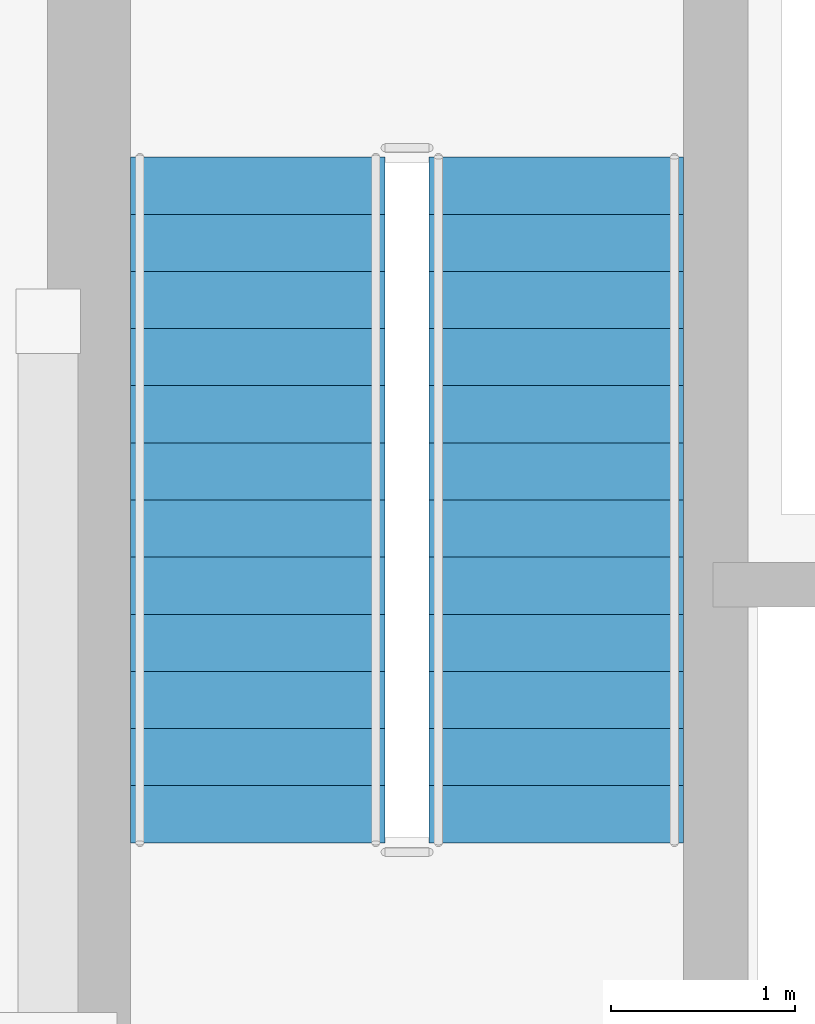
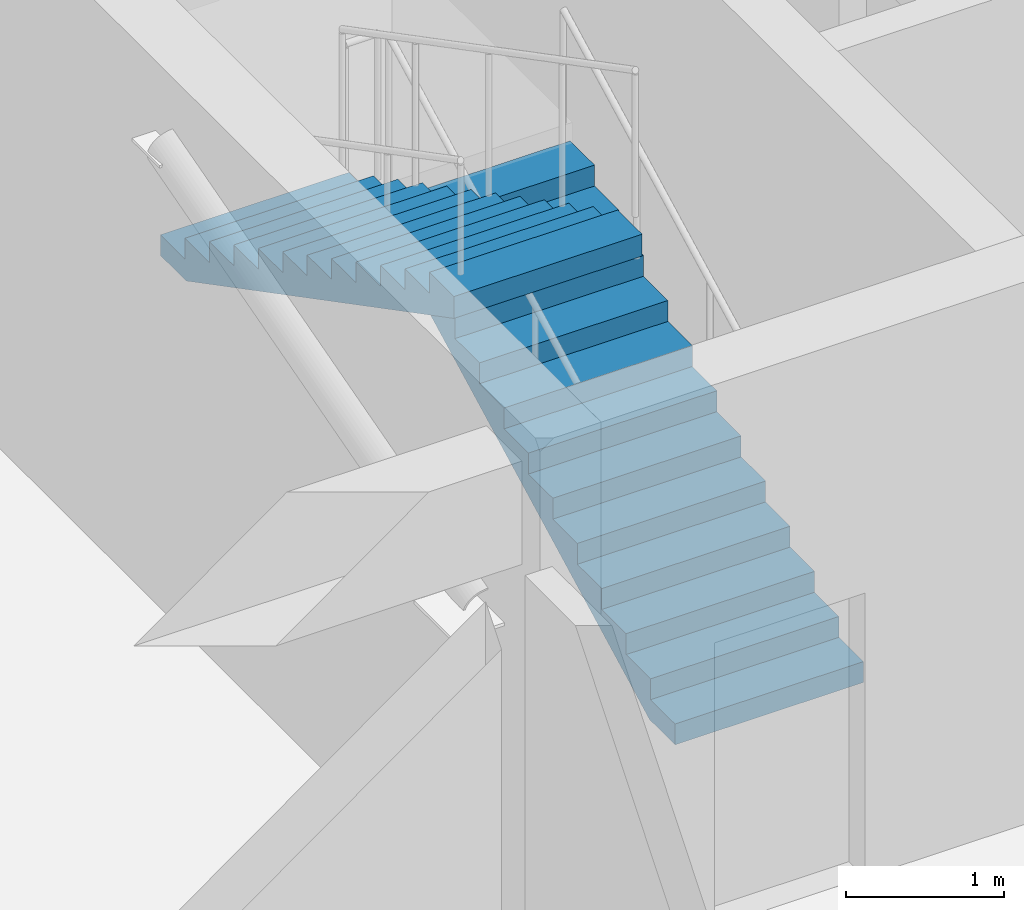
# One storey, part 32 of 33: 2 stair flights, 1 element without a shape of its own.
"""IFC4 building model written with IfcOpenShell, lengths in metres."""

from ifc_helpers import new_model, si_unit, direction, frame, origin, place, context, subcontext, project, spatial, polyline, outline, extrude, source, transform, mapped, material, type_object, element, aggregate, save


model = new_model("IFC4")

# Units and contexts
model_context = context("Model", 3, precision=1e-05, world=origin(), true_north=direction((0.0, 1.0)))
body_context = subcontext(model_context, "Body", "Model", "MODEL_VIEW")
ifc_project = project(units=[si_unit("LENGTHUNIT", "METRE"), si_unit("AREAUNIT", "SQUARE_METRE"), si_unit("VOLUMEUNIT", "CUBIC_METRE"), si_unit("PLANEANGLEUNIT", "RADIAN"), si_unit("MASSUNIT", "GRAM", prefix="KILO")], contexts=[model_context])

# Site, building, storey
site_placement = place(None, origin())
site = spatial("IfcSite", under=ifc_project, at=site_placement, CompositionType="ELEMENT")
building_placement = place(site_placement, origin())
building = spatial("IfcBuilding", under=site, at=building_placement, Name="Khoralis Quay Care Tower", CompositionType="ELEMENT")
storey_placement = place(building_placement, frame((0.0, 0.0, 302.10009765625)))
storey = spatial("IfcBuildingStorey", under=building, at=storey_placement, Name="L79", CompositionType="ELEMENT", Elevation=302.10009765625)

# Stair, stair flights
ifc_material = material(Name="Precast concrete C45/55", Category="concrete")
stair_type = type_object("IfcStairType", Name="ST-TWR-DOGLEG-1400", PredefinedType="HALF_TURN_STAIR", material=ifc_material)
stair_placement = place(storey_placement, origin())
stair = element("IfcStair", 1, at=stair_placement, inside=storey, type_object=stair_type, Name="L79 East Core Exit Stair ST-T2", PredefinedType="HALF_TURN_STAIR")
stair_flight_type = type_object("IfcStairFlightType", Name="SF-TWR-1400", PredefinedType="STRAIGHT", material=ifc_material)
shared_shape = source(origin(), body_context, "Body", "SweptSolid", [
    extrude(outline(polyline([(0.0, 0.0), (0.0, 0.16162109375), (0.31005859375, 0.16162109375), (0.31005859375, 0.322998046875), (0.6201171875, 0.322998046875), (0.6201171875, 0.484619140625), (0.929931640625, 0.484619140625), (0.929931640625, 0.646240234375), (1.239990234375, 0.646240234375), (1.239990234375, 0.8076171875), (1.550048828125, 0.8076171875), (1.550048828125, 0.96923828125), (1.860107421875, 0.96923828125), (1.860107421875, 1.130859375), (2.169921875, 1.130859375), (2.169921875, 1.292236328125), (2.47998046875, 1.292236328125), (2.47998046875, 1.453857421875), (2.7900390625, 1.453857421875), (2.7900390625, 1.615478515625), (3.10009765625, 1.615478515625), (3.10009765625, 1.77685546875), (3.409912109375, 1.77685546875), (3.409912109375, 1.9384765625), (3.719970703125, 1.9384765625), (3.719970703125, 2.10009765625), (3.719970703125, 1.76953125), (0.324462890625, 0.0), (0.0, 0.0)])), frame((0.0, 0.68994140625, 0.0), z_axis=(0.0, -1.0, 0.0), x_axis=(1.0, 0.0, 0.0)), (0.0, 0.0, 1.0), 1.3798828125),
])
stair_flight_1_placement = place(storey_placement, frame((33.830078125, 16.77001953125, 0.0), z_axis=(0.0, 0.0, 1.0), x_axis=(0.0, 1.0, 0.0)))
stair_flight_1 = element("IfcStairFlight", 2, at=stair_flight_1_placement, type_object=stair_flight_type, Name="ST-T2 flight 1", NumberOfRisers=13, NumberOfTreads=12, PredefinedType="STRAIGHT", RiserHeight=0.161538462, TreadLength=0.31, context=body_context, shape_type="MappedRepresentation", body=[
    mapped(shared_shape, transform((0.0, 0.0, 0.0), scale=1.0)),
])
stair_flight_2_placement = place(storey_placement, frame((32.2099609375, 20.489990234375, 2.099853515625), z_axis=(0.0, 0.0, 1.0), x_axis=(0.0, -1.0, 0.0)))
stair_flight_2 = element("IfcStairFlight", 3, at=stair_flight_2_placement, type_object=stair_flight_type, Name="ST-T2 flight 2", NumberOfRisers=13, NumberOfTreads=12, PredefinedType="STRAIGHT", RiserHeight=0.161538462, TreadLength=0.31, context=body_context, shape_type="MappedRepresentation", body=[
    mapped(shared_shape, transform((0.0, 0.0, 0.0), scale=1.0)),
])
aggregate(stair, [stair_flight_1, stair_flight_2])

save(model, "model.ifc")
